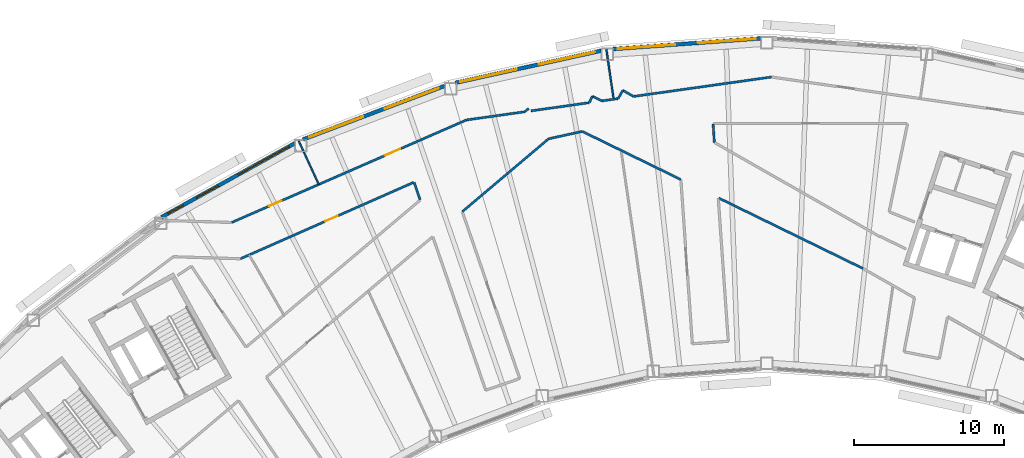
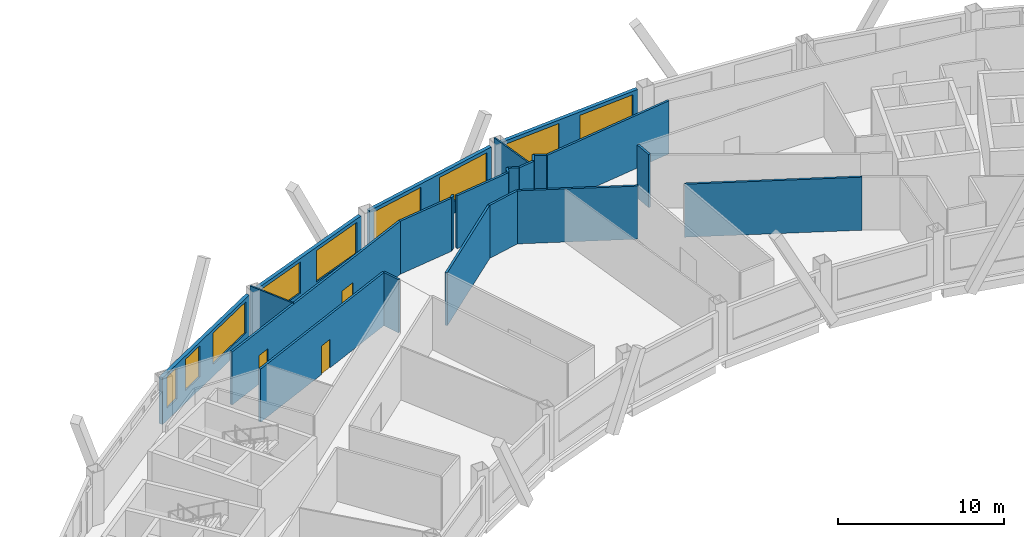
# One storey, part 7 of 14: 23 walls, 9 windows, 3 doors, 12 openings.
"""IFC4 building model written with IfcOpenShell, lengths in metres."""

from ifc_helpers import new_model, si_unit, direction, frame, frame_2d, origin, place, context, subcontext, project, spatial, rectangle, extrude, material, layer, layer_set, type_object, element, fill, save


model = new_model("IFC4")

# Units and contexts
model_context = context("Model", 3, precision=1e-05, world=origin(), true_north=direction((0.0, 1.0)))
body_context = subcontext(model_context, "Body", "Model", "MODEL_VIEW")
ifc_project = project(units=[si_unit("LENGTHUNIT", "METRE"), si_unit("AREAUNIT", "SQUARE_METRE"), si_unit("VOLUMEUNIT", "CUBIC_METRE"), si_unit("PLANEANGLEUNIT", "RADIAN"), si_unit("MASSUNIT", "GRAM", prefix="KILO")], contexts=[model_context])

# Site, building, storey
site_placement = place(None, origin())
site = spatial("IfcSite", under=ifc_project, at=site_placement, CompositionType="ELEMENT")
building_placement = place(site_placement, origin())
building = spatial("IfcBuilding", under=site, at=building_placement, Name="Tuul Gate Civic Tower", CompositionType="ELEMENT")
storey_placement = place(building_placement, frame((0.0, 0.0, 265.199951171875)))
storey = spatial("IfcBuildingStorey", under=building, at=storey_placement, Name="Level 60", CompositionType="ELEMENT", Elevation=265.199951171875)

# Walls
ifc_material_1 = material(Name="Gypsum board partition")
ifc_layer_1 = layer(ifc_material_1, 0.14990234375)
ifc_layer_set_1 = layer_set([ifc_layer_1], Name="Gypsum board partition")
wall_type_1 = type_object("IfcWallType", Name="Corridor wall P150", PredefinedType="PARTITIONING", material=ifc_layer_set_1)
wall_1_placement = place(storey_placement, frame((-8.997802734375, 8.331787109375, 0.0), z_axis=(0.0, 0.0, 1.0), x_axis=(0.990228560902, 0.139453924914, 0.0)))
element("IfcWall", 1, at=wall_1_placement, inside=storey, type_object=wall_type_1, Name="p017", PredefinedType="PARTITIONING", context=body_context, shape_type="SweptSolid", body=[
    extrude(rectangle(XDim=3.9267578125, YDim=0.14990234375, at=frame_2d((1.96337890625, 0.0))), origin(), (0.0, 0.0, 1.0), 3.900146484375),
])
wall_2_placement = place(storey_placement, frame((-4.6884765625, 8.938720703125, 0.0), z_axis=(0.0, 0.0, 1.0), x_axis=(0.990239491623, 0.139376286467, 0.0)))
element("IfcWall", 2, at=wall_2_placement, inside=storey, type_object=wall_type_1, Name="p018", PredefinedType="PARTITIONING", context=body_context, shape_type="SweptSolid", body=[
    extrude(rectangle(XDim=3.911376953125, YDim=0.14990234375, at=frame_2d((1.95556640625, 0.0))), origin(), (0.0, 0.0, 1.0), 3.900146484375),
])
wall_3_placement = place(storey_placement, frame((0.0322265625, 9.603515625, 0.0), z_axis=(0.0, 0.0, 1.0), x_axis=(0.990252706124, 0.139282367921, 0.0)))
element("IfcWall", 3, at=wall_3_placement, inside=storey, type_object=wall_type_1, Name="p019", PredefinedType="PARTITIONING", context=body_context, shape_type="SweptSolid", body=[
    extrude(rectangle(XDim=1.086669921875, YDim=0.14990234375, at=frame_2d((0.54345703125, 0.0))), origin(), (0.0, 0.0, 1.0), 3.900146484375),
])
wall_4_placement = place(storey_placement, frame((2.1494140625, 9.901611328125, 0.0), z_axis=(0.0, 0.0, 1.0), x_axis=(0.990230546803, 0.139439822781, 0.0)))
element("IfcWall", 4, at=wall_4_placement, inside=storey, type_object=wall_type_1, Name="p020", PredefinedType="PARTITIONING", context=body_context, shape_type="SweptSolid", body=[
    extrude(rectangle(XDim=9.28125, YDim=0.14990234375, at=frame_2d((4.640625, 0.0))), origin(), (0.0, 0.0, 1.0), 3.900146484375),
])
wall_5_placement = place(storey_placement, frame((1.431396484375, 10.305419921875, 0.0), z_axis=(0.0, 0.0, 1.0), x_axis=(0.869001058999, -0.494810225702, 0.0)))
element("IfcWall", 5, at=wall_5_placement, inside=storey, type_object=wall_type_1, Name="p021", PredefinedType="PARTITIONING", context=body_context, shape_type="SweptSolid", body=[
    extrude(rectangle(XDim=0.811767578125, YDim=0.14990234375, at=frame_2d((0.40576171875, 0.0))), origin(), (0.0, 0.0, 1.0), 3.900146484375),
])
wall_6_placement = place(storey_placement, frame((1.122802734375, 9.764892578125, 0.0), z_axis=(0.0, 0.0, 1.0), x_axis=(0.494912710039, 0.868942696294, 0.0)))
element("IfcWall", 6, at=wall_6_placement, inside=storey, type_object=wall_type_1, Name="p025", PredefinedType="PARTITIONING", context=body_context, shape_type="SweptSolid", body=[
    extrude(rectangle(XDim=0.6220703125, YDim=0.14990234375, at=frame_2d((0.31103515625, 0.0))), origin(), (0.0, 0.0, 1.0), 3.900146484375),
])
wall_7_placement = place(storey_placement, frame((-0.59716796875, 9.91064453125, 0.0), z_axis=(0.0, 0.0, 1.0), x_axis=(0.8990532577, -0.437839285376, 0.0)))
element("IfcWall", 7, at=wall_7_placement, inside=storey, type_object=wall_type_1, Name="p028", PredefinedType="PARTITIONING", context=body_context, shape_type="SweptSolid", body=[
    extrude(rectangle(XDim=0.69970703125, YDim=0.14990234375, at=frame_2d((0.349853515625, 0.0))), origin(), (0.0, 0.0, 1.0), 3.900146484375),
])
wall_8_placement = place(storey_placement, frame((-0.800048828125, 9.4951171875, 0.0), z_axis=(0.0, 0.0, 1.0), x_axis=(0.438746071107, 0.898611086671, 0.0)))
element("IfcWall", 8, at=wall_8_placement, inside=storey, type_object=wall_type_1, Name="p030", PredefinedType="PARTITIONING", context=body_context, shape_type="SweptSolid", body=[
    extrude(rectangle(XDim=0.46240234375, YDim=0.14990234375, at=frame_2d((0.231201171875, 0.0))), origin(), (0.0, 0.0, 1.0), 3.900146484375),
])
wall_9_placement = place(storey_placement, frame((-5.09912109375, 8.8837890625, 0.0), z_axis=(0.0, 0.0, 1.0), x_axis=(0.763549735417, 0.64574902365, 0.0)))
element("IfcWall", 9, at=wall_9_placement, inside=storey, type_object=wall_type_1, Name="p032", PredefinedType="PARTITIONING", context=body_context, shape_type="SweptSolid", body=[
    extrude(rectangle(XDim=0.33984375, YDim=0.14990234375, at=frame_2d((0.169921875, 0.0))), origin(), (0.0, 0.0, 1.0), 3.900146484375),
])

# Wall, openings, doors
wall_10_placement = place(storey_placement, frame((-24.63427734375, 1.503173828125, 0.0), z_axis=(0.0, 0.0, 1.0), x_axis=(0.916422804451, 0.400211498439, 0.0)))
wall_10 = element("IfcWall", 10, at=wall_10_placement, inside=storey, type_object=wall_type_1, Name="p033", PredefinedType="PARTITIONING", context=body_context, shape_type="SweptSolid", body=[
    extrude(rectangle(XDim=17.0625, YDim=0.14990234375, at=frame_2d((8.53125, 0.0))), origin(), (0.0, 0.0, 1.0), 3.900146484375),
])
opening_1_placement = place(wall_10_placement, frame((11.146728515625, 0.0, 0.0)))
opening_1 = element("IfcOpeningElement", 11, at=opening_1_placement, cuts=wall_10, Name="Opening V-D05", PredefinedType="OPENING", context=body_context, shape_type="SweptSolid", body=[
    extrude(rectangle(XDim=1.10009765625, YDim=2.10009765625, at=frame_2d((0.550048828125, 1.050048828125))), frame((0.0, 0.0849609375, 0.0), z_axis=(0.0, -1.0, 0.0), x_axis=(1.0, 0.0, 0.0)), (0.0, 0.0, 1.0), 0.169921875),
])
opening_2_placement = place(wall_10_placement, frame((2.715576171875, 0.0, 0.0)))
opening_2 = element("IfcOpeningElement", 12, at=opening_2_placement, cuts=wall_10, Name="Opening V-D06", PredefinedType="OPENING", context=body_context, shape_type="SweptSolid", body=[
    extrude(rectangle(XDim=0.89990234375, YDim=2.10009765625, at=frame_2d((0.449951171875, 1.050048828125))), frame((0.0, 0.0849609375, 0.0), z_axis=(0.0, -1.0, 0.0), x_axis=(1.0, 0.0, 0.0)), (0.0, 0.0, 1.0), 0.169921875),
])
ifc_material_2 = material(Name="Timber door leaf", Category="wood")
door_type_1 = type_object("IfcDoorType", Name="Door D09", OperationType="NOTDEFINED", PredefinedType="DOOR", material=ifc_material_2)
door_1_placement = place(opening_2_placement, origin())
door_1 = element("IfcDoor", 13, at=door_1_placement, inside=storey, type_object=door_type_1, Name="Door V-D06", OperationType="SINGLE_SWING_RIGHT", OverallHeight=2.10009765625, OverallWidth=0.89990234375, PredefinedType="DOOR", context=body_context, shape_type="SweptSolid", body=[
    extrude(rectangle(XDim=0.89990234375, YDim=2.10009765625, at=frame_2d((0.449951171875, 1.050048828125))), frame((0.0, 0.02490234375, 0.0), z_axis=(0.0, -1.0, 0.0), x_axis=(1.0, 0.0, 0.0)), (0.0, 0.0, 1.0), 0.050048828125),
])
fill(opening_2, door_1)
ifc_material_3 = material(Name="Timber door leaf", Category="wood")
door_type_2 = type_object("IfcDoorType", Name="Door D11", OperationType="NOTDEFINED", PredefinedType="DOOR", material=ifc_material_3)
door_2_placement = place(opening_1_placement, origin())
door_2 = element("IfcDoor", 14, at=door_2_placement, inside=storey, type_object=door_type_2, Name="Door V-D05", OperationType="SINGLE_SWING_RIGHT", OverallHeight=2.10009765625, OverallWidth=1.10009765625, PredefinedType="DOOR", context=body_context, shape_type="SweptSolid", body=[
    extrude(rectangle(XDim=1.10009765625, YDim=2.10009765625, at=frame_2d((0.550048828125, 1.050048828125))), frame((0.0, 0.02490234375, 0.0), z_axis=(0.0, -1.0, 0.0), x_axis=(1.0, 0.0, 0.0)), (0.0, 0.0, 1.0), 0.050048828125),
])
fill(opening_1, door_2)

# Walls
wall_11_placement = place(storey_placement, frame((-1.2685546875, 7.5673828125, 0.0), z_axis=(0.0, 0.0, 1.0), x_axis=(0.898570891444, -0.438828386787, 0.0)))
element("IfcWall", 15, at=wall_11_placement, inside=storey, type_object=wall_type_1, Name="p063", PredefinedType="PARTITIONING", context=body_context, shape_type="SweptSolid", body=[
    extrude(rectangle(XDim=7.2958984375, YDim=0.14990234375, at=frame_2d((3.64794921875, 0.0))), origin(), (0.0, 0.0, 1.0), 3.900146484375),
])
wall_12_placement = place(storey_placement, frame((7.81982421875, 3.129150390625, 0.0), z_axis=(0.0, 0.0, 1.0), x_axis=(0.898573794777, -0.4388224417, 0.0)))
element("IfcWall", 16, at=wall_12_placement, inside=storey, type_object=wall_type_1, Name="p064", PredefinedType="PARTITIONING", context=body_context, shape_type="SweptSolid", body=[
    extrude(rectangle(XDim=10.697021484375, YDim=0.14990234375, at=frame_2d((5.3486328125, 0.0))), origin(), (0.0, 0.0, 1.0), 3.900146484375),
])
wall_13_placement = place(storey_placement, frame((7.444091796875, 8.071044921875, 0.0), z_axis=(0.0, 0.0, 1.0), x_axis=(0.069864679707, -0.997556477864, 0.0)))
element("IfcWall", 17, at=wall_13_placement, inside=storey, type_object=wall_type_1, Name="p067", PredefinedType="PARTITIONING", context=body_context, shape_type="SweptSolid", body=[
    extrude(rectangle(XDim=1.22998046875, YDim=0.14990234375, at=frame_2d((0.614990234375, 0.0))), origin(), (0.0, 0.0, 1.0), 3.900146484375),
])
wall_14_placement = place(storey_placement, frame((-9.259765625, 2.229248046875, 0.0), z_axis=(0.0, 0.0, 1.0), x_axis=(0.764029559752, 0.645181239518, 0.0)))
element("IfcWall", 18, at=wall_14_placement, inside=storey, type_object=wall_type_1, Name="p071", PredefinedType="PARTITIONING", context=body_context, shape_type="SweptSolid", body=[
    extrude(rectangle(XDim=7.51025390625, YDim=0.14990234375, at=frame_2d((3.755126953125, 0.0))), origin(), (0.0, 0.0, 1.0), 3.900146484375),
])
wall_15_placement = place(storey_placement, frame((-12.478271484375, 4.16552734375, 0.0), z_axis=(0.0, 0.0, 1.0), x_axis=(0.325653057846, -0.945489336754, 0.0)))
element("IfcWall", 19, at=wall_15_placement, inside=storey, type_object=wall_type_1, Name="p072", PredefinedType="PARTITIONING", context=body_context, shape_type="SweptSolid", body=[
    extrude(rectangle(XDim=1.225830078125, YDim=0.14990234375, at=frame_2d((0.61279296875, 0.0))), origin(), (0.0, 0.0, 1.0), 3.900146484375),
])
wall_16_placement = place(storey_placement, frame((-3.51318359375, 7.0791015625, 0.0), z_axis=(0.0, 0.0, 1.0), x_axis=(0.976734518066, 0.214452048765, 0.0)))
element("IfcWall", 20, at=wall_16_placement, inside=storey, type_object=wall_type_1, Name="p076", PredefinedType="PARTITIONING", context=body_context, shape_type="SweptSolid", body=[
    extrude(rectangle(XDim=2.284912109375, YDim=0.14990234375, at=frame_2d((1.142578125, 0.0))), origin(), (0.0, 0.0, 1.0), 3.900146484375),
])

# Wall, opening, door
wall_17_placement = place(storey_placement, frame((-24.055419921875, -0.9169921875, 0.0), z_axis=(0.0, 0.0, 1.0), x_axis=(0.914957919582, 0.403549260183, 0.0)))
wall_17 = element("IfcWall", 21, at=wall_17_placement, inside=storey, type_object=wall_type_1, Name="p099", PredefinedType="PARTITIONING", context=body_context, shape_type="SweptSolid", body=[
    extrude(rectangle(XDim=12.62353515625, YDim=0.14990234375, at=frame_2d((6.311767578125, 0.0))), origin(), (0.0, 0.0, 1.0), 3.900146484375),
])
opening_3_placement = place(wall_17_placement, frame((6.1796875, 0.0, 0.0)))
opening_3 = element("IfcOpeningElement", 22, at=opening_3_placement, cuts=wall_17, Name="Opening V-D22", PredefinedType="OPENING", context=body_context, shape_type="SweptSolid", body=[
    extrude(rectangle(XDim=0.89990234375, YDim=2.10009765625, at=frame_2d((0.449951171875, 1.050048828125))), frame((0.0, 0.0849609375, 0.0), z_axis=(0.0, -1.0, 0.0), x_axis=(1.0, 0.0, 0.0)), (0.0, 0.0, 1.0), 0.169921875),
])
door_3_placement = place(opening_3_placement, origin())
door_3 = element("IfcDoor", 23, at=door_3_placement, inside=storey, type_object=door_type_1, Name="Door V-D22", OperationType="SINGLE_SWING_RIGHT", OverallHeight=2.10009765625, OverallWidth=0.89990234375, PredefinedType="DOOR", context=body_context, shape_type="SweptSolid", body=[
    extrude(rectangle(XDim=0.89990234375, YDim=2.10009765625, at=frame_2d((0.449951171875, 1.050048828125))), frame((0.0, 0.02490234375, 0.0), z_axis=(0.0, -1.0, 0.0), x_axis=(1.0, 0.0, 0.0)), (0.0, 0.0, 1.0), 0.050048828125),
])
fill(opening_3, door_3)

# Wall, openings, windows
ifc_material_4 = material(Name="Precast concrete C40/50", Category="concrete")
ifc_layer_2 = layer(ifc_material_4, 0.25)
ifc_layer_set_2 = layer_set([ifc_layer_2], Name="Precast concrete C40/50")
wall_type_2 = type_object("IfcWallType", Name="External wall", PredefinedType="STANDARD", material=ifc_layer_set_2)
wall_18_placement = place(storey_placement, frame((10.631103515625, 13.770751953125, 0.0), z_axis=(0.0, 0.0, 1.0), x_axis=(-0.997387687721, -0.072234343517, 0.0)))
wall_18 = element("IfcWall", 24, at=wall_18_placement, inside=storey, type_object=wall_type_2, Name="External wall", PredefinedType="STANDARD", context=body_context, shape_type="SweptSolid", body=[
    extrude(rectangle(XDim=9.8759765625, YDim=0.25, at=frame_2d((4.93798828125, 0.0))), origin(), (0.0, 0.0, 1.0), 3.449951171875),
])
opening_4_placement = place(wall_18_placement, frame((0.3505859375, 0.0, 0.89990234375)))
opening_4 = element("IfcOpeningElement", 25, at=opening_4_placement, cuts=wall_18, Name="Opening W22", PredefinedType="OPENING", context=body_context, shape_type="SweptSolid", body=[
    extrude(rectangle(XDim=3.85009765625, YDim=2.300048828125, at=frame_2d((1.925048828125, 1.14990234375))), frame((0.0, 0.135009765625, 0.0), z_axis=(0.0, -1.0, 0.0), x_axis=(1.0, 0.0, 0.0)), (0.0, 0.0, 1.0), 0.27001953125),
])
opening_5_placement = place(wall_18_placement, frame((5.72216796875, 0.0, 0.89990234375)))
opening_5 = element("IfcOpeningElement", 26, at=opening_5_placement, cuts=wall_18, Name="Opening W22", PredefinedType="OPENING", context=body_context, shape_type="SweptSolid", body=[
    extrude(rectangle(XDim=3.85009765625, YDim=2.300048828125, at=frame_2d((1.925048828125, 1.14990234375))), frame((0.0, 0.135009765625, 0.0), z_axis=(0.0, -1.0, 0.0), x_axis=(1.0, 0.0, 0.0)), (0.0, 0.0, 1.0), 0.27001953125),
])
ifc_material_5 = material(Name="Glass", Category="glass")
window_type_1 = type_object("IfcWindowType", Name="Window W22 3850 x 2300", PartitioningType="SINGLE_PANEL", PredefinedType="WINDOW", material=ifc_material_5)
window_1_placement = place(opening_4_placement, origin())
window_1 = element("IfcWindow", 27, at=window_1_placement, inside=storey, type_object=window_type_1, Name="Window", OverallHeight=2.300048828125, OverallWidth=3.85009765625, PartitioningType="SINGLE_PANEL", PredefinedType="WINDOW", context=body_context, shape_type="SweptSolid", body=[
    extrude(rectangle(XDim=3.85009765625, YDim=2.300048828125, at=frame_2d((1.925048828125, 1.14990234375))), frame((0.0, 0.030029296875, 0.0), z_axis=(0.0, -1.0, 0.0), x_axis=(1.0, 0.0, 0.0)), (0.0, 0.0, 1.0), 0.06005859375),
])
fill(opening_4, window_1)
window_2_placement = place(opening_5_placement, origin())
window_2 = element("IfcWindow", 28, at=window_2_placement, inside=storey, type_object=window_type_1, Name="Window", OverallHeight=2.300048828125, OverallWidth=3.85009765625, PartitioningType="SINGLE_PANEL", PredefinedType="WINDOW", context=body_context, shape_type="SweptSolid", body=[
    extrude(rectangle(XDim=3.85009765625, YDim=2.300048828125, at=frame_2d((1.925048828125, 1.14990234375))), frame((0.0, 0.030029296875, 0.0), z_axis=(0.0, -1.0, 0.0), x_axis=(1.0, 0.0, 0.0)), (0.0, 0.0, 1.0), 0.06005859375),
])
fill(opening_5, window_2)

wall_19_placement = place(storey_placement, frame((-0.01904296875, 12.947265625, 0.0), z_axis=(0.0, 0.0, 1.0), x_axis=(-0.976559045146, -0.215249695339, 0.0)))
wall_19 = element("IfcWall", 29, at=wall_19_placement, inside=storey, type_object=wall_type_2, Name="External wall", PredefinedType="STANDARD", context=body_context, shape_type="SweptSolid", body=[
    extrude(rectangle(XDim=9.952880859375, YDim=0.25, at=frame_2d((4.9765625, 0.0))), origin(), (0.0, 0.0, 1.0), 3.449951171875),
])
opening_6_placement = place(wall_19_placement, frame((0.389892578125, 0.0, 0.89990234375)))
opening_6 = element("IfcOpeningElement", 30, at=opening_6_placement, cuts=wall_19, Name="Opening W22", PredefinedType="OPENING", context=body_context, shape_type="SweptSolid", body=[
    extrude(rectangle(XDim=3.85009765625, YDim=2.300048828125, at=frame_2d((1.925048828125, 1.14990234375))), frame((0.0, 0.135009765625, 0.0), z_axis=(0.0, -1.0, 0.0), x_axis=(1.0, 0.0, 0.0)), (0.0, 0.0, 1.0), 0.27001953125),
])
opening_7_placement = place(wall_19_placement, frame((5.7607421875, 0.0, 0.89990234375)))
opening_7 = element("IfcOpeningElement", 31, at=opening_7_placement, cuts=wall_19, Name="Opening W22", PredefinedType="OPENING", context=body_context, shape_type="SweptSolid", body=[
    extrude(rectangle(XDim=3.85009765625, YDim=2.300048828125, at=frame_2d((1.925048828125, 1.14990234375))), frame((0.0, 0.135009765625, 0.0), z_axis=(0.0, -1.0, 0.0), x_axis=(1.0, 0.0, 0.0)), (0.0, 0.0, 1.0), 0.27001953125),
])
window_3_placement = place(opening_6_placement, origin())
window_3 = element("IfcWindow", 32, at=window_3_placement, inside=storey, type_object=window_type_1, Name="Window", OverallHeight=2.300048828125, OverallWidth=3.85009765625, PartitioningType="SINGLE_PANEL", PredefinedType="WINDOW", context=body_context, shape_type="SweptSolid", body=[
    extrude(rectangle(XDim=3.85009765625, YDim=2.300048828125, at=frame_2d((1.925048828125, 1.14990234375))), frame((0.0, 0.030029296875, 0.0), z_axis=(0.0, -1.0, 0.0), x_axis=(1.0, 0.0, 0.0)), (0.0, 0.0, 1.0), 0.06005859375),
])
fill(opening_6, window_3)
window_4_placement = place(opening_7_placement, origin())
window_4 = element("IfcWindow", 33, at=window_4_placement, inside=storey, type_object=window_type_1, Name="Window", OverallHeight=2.300048828125, OverallWidth=3.85009765625, PartitioningType="SINGLE_PANEL", PredefinedType="WINDOW", context=body_context, shape_type="SweptSolid", body=[
    extrude(rectangle(XDim=3.85009765625, YDim=2.300048828125, at=frame_2d((1.925048828125, 1.14990234375))), frame((0.0, 0.030029296875, 0.0), z_axis=(0.0, -1.0, 0.0), x_axis=(1.0, 0.0, 0.0)), (0.0, 0.0, 1.0), 0.06005859375),
])
fill(opening_7, window_4)

wall_20_placement = place(storey_placement, frame((-10.446044921875, 10.6005859375, 0.0), z_axis=(0.0, 0.0, 1.0), x_axis=(-0.935343984789, -0.353739494712, 0.0)))
wall_20 = element("IfcWall", 34, at=wall_20_placement, inside=storey, type_object=wall_type_2, Name="External wall", PredefinedType="STANDARD", context=body_context, shape_type="SweptSolid", body=[
    extrude(rectangle(XDim=10.099365234375, YDim=0.25, at=frame_2d((5.0498046875, 0.0))), origin(), (0.0, 0.0, 1.0), 3.449951171875),
])
opening_8_placement = place(wall_20_placement, frame((0.422607421875, 0.0, 0.89990234375)))
opening_8 = element("IfcOpeningElement", 35, at=opening_8_placement, cuts=wall_20, Name="Opening W22", PredefinedType="OPENING", context=body_context, shape_type="SweptSolid", body=[
    extrude(rectangle(XDim=3.85009765625, YDim=2.300048828125, at=frame_2d((1.925048828125, 1.14990234375))), frame((0.0, 0.135009765625, 0.0), z_axis=(0.0, -1.0, 0.0), x_axis=(1.0, 0.0, 0.0)), (0.0, 0.0, 1.0), 0.27001953125),
])
opening_9_placement = place(wall_20_placement, frame((5.7939453125, 0.0, 0.89990234375)))
opening_9 = element("IfcOpeningElement", 36, at=opening_9_placement, cuts=wall_20, Name="Opening W22", PredefinedType="OPENING", context=body_context, shape_type="SweptSolid", body=[
    extrude(rectangle(XDim=3.85009765625, YDim=2.300048828125, at=frame_2d((1.925048828125, 1.14990234375))), frame((0.0, 0.135009765625, 0.0), z_axis=(0.0, -1.0, 0.0), x_axis=(1.0, 0.0, 0.0)), (0.0, 0.0, 1.0), 0.27001953125),
])
window_5_placement = place(opening_8_placement, origin())
window_5 = element("IfcWindow", 37, at=window_5_placement, inside=storey, type_object=window_type_1, Name="Window", OverallHeight=2.300048828125, OverallWidth=3.85009765625, PartitioningType="SINGLE_PANEL", PredefinedType="WINDOW", context=body_context, shape_type="SweptSolid", body=[
    extrude(rectangle(XDim=3.85009765625, YDim=2.300048828125, at=frame_2d((1.925048828125, 1.14990234375))), frame((0.0, 0.030029296875, 0.0), z_axis=(0.0, -1.0, 0.0), x_axis=(1.0, 0.0, 0.0)), (0.0, 0.0, 1.0), 0.06005859375),
])
fill(opening_8, window_5)
window_6_placement = place(opening_9_placement, origin())
window_6 = element("IfcWindow", 38, at=window_6_placement, inside=storey, type_object=window_type_1, Name="Window", OverallHeight=2.300048828125, OverallWidth=3.85009765625, PartitioningType="SINGLE_PANEL", PredefinedType="WINDOW", context=body_context, shape_type="SweptSolid", body=[
    extrude(rectangle(XDim=3.85009765625, YDim=2.300048828125, at=frame_2d((1.925048828125, 1.14990234375))), frame((0.0, 0.030029296875, 0.0), z_axis=(0.0, -1.0, 0.0), x_axis=(1.0, 0.0, 0.0)), (0.0, 0.0, 1.0), 0.06005859375),
])
fill(opening_9, window_6)

wall_21_placement = place(storey_placement, frame((-20.43310546875, 6.777099609375, 0.0), z_axis=(0.0, 0.0, 1.0), x_axis=(-0.87463069098, -0.484789804345, 0.0)))
wall_21 = element("IfcWall", 39, at=wall_21_placement, inside=storey, type_object=wall_type_2, Name="External wall", PredefinedType="STANDARD", context=body_context, shape_type="SweptSolid", body=[
    extrude(rectangle(XDim=10.1591796875, YDim=0.25, at=frame_2d((5.07958984375, 0.0))), origin(), (0.0, 0.0, 1.0), 3.449951171875),
])
opening_10_placement = place(wall_21_placement, frame((0.4501953125, 0.0, 0.89990234375)))
opening_10 = element("IfcOpeningElement", 40, at=opening_10_placement, cuts=wall_21, Name="Opening W22", PredefinedType="OPENING", context=body_context, shape_type="SweptSolid", body=[
    extrude(rectangle(XDim=3.85009765625, YDim=2.300048828125, at=frame_2d((1.925048828125, 1.14990234375))), frame((0.0, 0.135009765625, 0.0), z_axis=(0.0, -1.0, 0.0), x_axis=(1.0, 0.0, 0.0)), (0.0, 0.0, 1.0), 0.27001953125),
])
opening_11_placement = place(wall_21_placement, frame((5.82373046875, 0.0, 0.89990234375)))
opening_11 = element("IfcOpeningElement", 41, at=opening_11_placement, cuts=wall_21, Name="Opening W55", PredefinedType="OPENING", context=body_context, shape_type="SweptSolid", body=[
    extrude(rectangle(XDim=1.64990234375, YDim=2.300048828125, at=frame_2d((0.824951171875, 1.14990234375))), frame((0.0, 0.135009765625, 0.0), z_axis=(0.0, -1.0, 0.0), x_axis=(1.0, 0.0, 0.0)), (0.0, 0.0, 1.0), 0.27001953125),
])
opening_12_placement = place(wall_21_placement, frame((8.49609375, 0.0, 0.89990234375)))
opening_12 = element("IfcOpeningElement", 42, at=opening_12_placement, cuts=wall_21, Name="Opening W43", PredefinedType="OPENING", context=body_context, shape_type="SweptSolid", body=[
    extrude(rectangle(XDim=1.14990234375, YDim=2.300048828125, at=frame_2d((0.574951171875, 1.14990234375))), frame((0.0, 0.135009765625, 0.0), z_axis=(0.0, -1.0, 0.0), x_axis=(1.0, 0.0, 0.0)), (0.0, 0.0, 1.0), 0.27001953125),
])
ifc_material_6 = material(Name="Glass", Category="glass")
window_type_2 = type_object("IfcWindowType", Name="Window 1150 x 2300", PartitioningType="SINGLE_PANEL", PredefinedType="WINDOW", material=ifc_material_6)
window_7_placement = place(opening_12_placement, origin())
window_7 = element("IfcWindow", 43, at=window_7_placement, inside=storey, type_object=window_type_2, Name="Window", OverallHeight=2.300048828125, OverallWidth=1.14990234375, PartitioningType="SINGLE_PANEL", PredefinedType="WINDOW", context=body_context, shape_type="SweptSolid", body=[
    extrude(rectangle(XDim=1.14990234375, YDim=2.300048828125, at=frame_2d((0.574951171875, 1.14990234375))), frame((0.0, 0.030029296875, 0.0), z_axis=(0.0, -1.0, 0.0), x_axis=(1.0, 0.0, 0.0)), (0.0, 0.0, 1.0), 0.06005859375),
])
fill(opening_12, window_7)
ifc_material_7 = material(Name="Glass", Category="glass")
window_type_3 = type_object("IfcWindowType", Name="Window 1650 x 2300", PartitioningType="SINGLE_PANEL", PredefinedType="WINDOW", material=ifc_material_7)
window_8_placement = place(opening_11_placement, origin())
window_8 = element("IfcWindow", 44, at=window_8_placement, inside=storey, type_object=window_type_3, Name="Window", OverallHeight=2.300048828125, OverallWidth=1.64990234375, PartitioningType="SINGLE_PANEL", PredefinedType="WINDOW", context=body_context, shape_type="SweptSolid", body=[
    extrude(rectangle(XDim=1.64990234375, YDim=2.300048828125, at=frame_2d((0.824951171875, 1.14990234375))), frame((0.0, 0.030029296875, 0.0), z_axis=(0.0, -1.0, 0.0), x_axis=(1.0, 0.0, 0.0)), (0.0, 0.0, 1.0), 0.06005859375),
])
fill(opening_11, window_8)
window_9_placement = place(opening_10_placement, origin())
window_9 = element("IfcWindow", 45, at=window_9_placement, inside=storey, type_object=window_type_1, Name="Window", OverallHeight=2.300048828125, OverallWidth=3.85009765625, PartitioningType="SINGLE_PANEL", PredefinedType="WINDOW", context=body_context, shape_type="SweptSolid", body=[
    extrude(rectangle(XDim=3.85009765625, YDim=2.300048828125, at=frame_2d((1.925048828125, 1.14990234375))), frame((0.0, 0.030029296875, 0.0), z_axis=(0.0, -1.0, 0.0), x_axis=(1.0, 0.0, 0.0)), (0.0, 0.0, 1.0), 0.06005859375),
])
fill(opening_10, window_9)

# Walls
ifc_material_8 = material(Name="Gypsum board partition")
ifc_layer_3 = layer(ifc_material_8, 0.10009765625)
ifc_layer_set_3 = layer_set([ifc_layer_3], Name="Gypsum board partition")
wall_type_3 = type_object("IfcWallType", Name="Partition P100", PredefinedType="PARTITIONING", material=ifc_layer_set_3)
wall_22_placement = place(storey_placement, frame((0.333740234375, 13.030029296875, 0.0), z_axis=(0.0, 0.0, 1.0), x_axis=(0.14410328547, -0.989562652446, 0.0)))
element("IfcWall", 46, at=wall_22_placement, inside=storey, type_object=wall_type_3, Name="p015", PredefinedType="PARTITIONING", context=body_context, shape_type="SweptSolid", body=[
    extrude(rectangle(XDim=3.35107421875, YDim=0.10009765625, at=frame_2d((1.675537109375, 0.0))), origin(), (0.0, 0.0, 1.0), 3.900146484375),
])
wall_23_placement = place(storey_placement, frame((-20.17138671875, 6.927734375, 0.0), z_axis=(0.0, 0.0, 1.0), x_axis=(0.420253283084, -0.907406842633, 0.0)))
element("IfcWall", 47, at=wall_23_placement, inside=storey, type_object=wall_type_3, Name="p026", PredefinedType="PARTITIONING", context=body_context, shape_type="SweptSolid", body=[
    extrude(rectangle(XDim=3.185791015625, YDim=0.10009765625, at=frame_2d((1.5927734375, 0.0))), origin(), (0.0, 0.0, 1.0), 3.900146484375),
])

save(model, "model.ifc")
